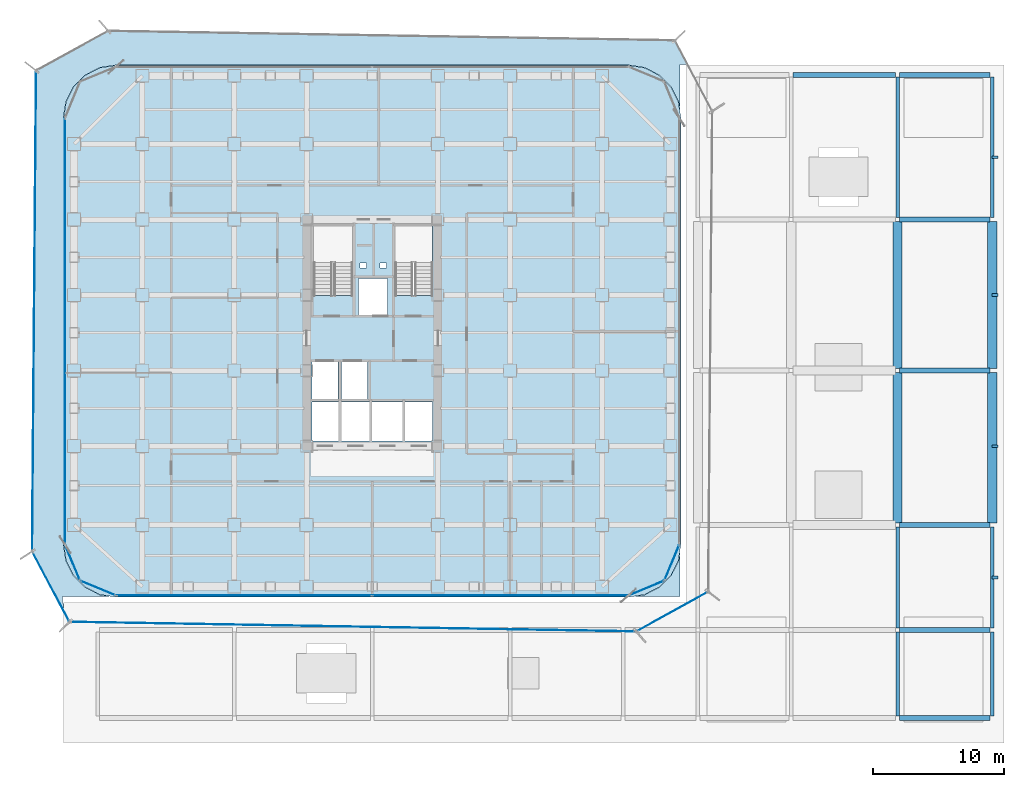
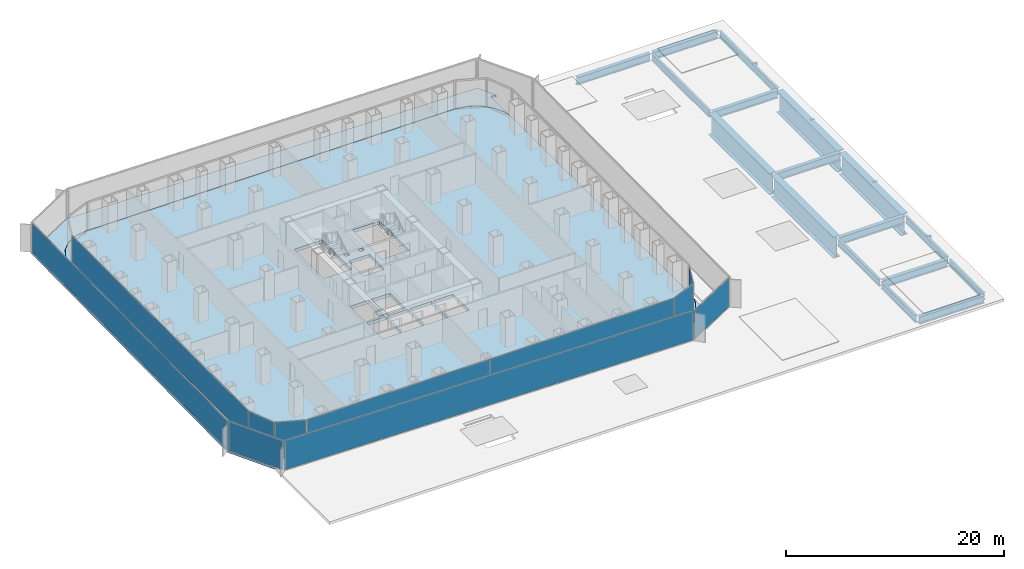
# One storey, part 21 of 27: 21 beams, 11 plates, 3 slabs, 10 elements without a shape of their own.
"""IFC4 building model written with IfcOpenShell, lengths in metres."""

from ifc_helpers import new_model, si_unit, direction, frame, origin, origin_2d, place, context, subcontext, project, spatial, polyline, rectangle, i_section, outline, extrude, source, transform, mapped, material, layer, layer_set, material_profile, profile_set, type_object, element, aggregate, save


model = new_model("IFC4")

# Units and contexts
model_context = context("Model", 3, precision=1e-05, world=origin(), true_north=direction((0.0, 1.0)))
body_context = subcontext(model_context, "Body", "Model", "MODEL_VIEW")
ifc_project = project(units=[si_unit("LENGTHUNIT", "METRE"), si_unit("AREAUNIT", "SQUARE_METRE"), si_unit("VOLUMEUNIT", "CUBIC_METRE"), si_unit("PLANEANGLEUNIT", "RADIAN"), si_unit("MASSUNIT", "GRAM", prefix="KILO")], contexts=[model_context])

# Site, building, storey
site_placement = place(None, origin())
site = spatial("IfcSite", under=ifc_project, at=site_placement, CompositionType="ELEMENT")
building_placement = place(site_placement, origin())
building = spatial("IfcBuilding", under=site, at=building_placement, Name="Kolveth Station Tower", CompositionType="ELEMENT")
storey_placement = place(building_placement, frame((0.0, 0.0, 22.5)))
storey = spatial("IfcBuildingStorey", under=building, at=storey_placement, Name="L05", CompositionType="ELEMENT", Elevation=22.5)

# Beams
ifc_material_1 = material(Name="Steel S355", Category="steel")
ifc_material_profile_1 = material_profile(ifc_material_1, i_section(OverallWidth=0.40087890625, OverallDepth=0.85107421875, WebThickness=0.01611328125, FlangeThickness=0.025390625, at=origin_2d()), Name="W840x226")
ifc_profile_set_1 = profile_set([ifc_material_profile_1], Name="Steel S355")
beam_type_1 = type_object("IfcBeamType", Name="Beam_B2", PredefinedType="BEAM", material=ifc_profile_set_1)
shared_shape_1 = source(origin(), body_context, "Body", "SweptSolid", [
    extrude(i_section(OverallWidth=0.40087890625, OverallDepth=0.85107421875, WebThickness=0.01611328125, FlangeThickness=0.025390625, at=origin_2d()), origin(), (0.0, 0.0, 1.0), 6.900146484375),
])
for number, where, z_axis, x_axis, name in (
    (1, (63.64990234375, -9.199951171875, -0.7255859375), (1.0, 0.0, 0.0), (0.0, 1.0, 0.0), "L05 Station Portal Girder SBM-L05-EW-1-3"),
    (2, (63.64990234375, -2.5, -0.7255859375), (1.0, 0.0, 0.0), (0.0, 1.0, 0.0), "L05 Station Portal Girder SBM-L05-EW-2-3"),
    (3, (63.64990234375, 5.5, -0.7255859375), (1.0, 0.0, 0.0), (0.0, 1.0, 0.0), "L05 Station Portal Girder SBM-L05-EW-3-3"),
    (4, (63.64990234375, 17.25, -0.7255859375), (1.0, 0.0, 0.0), (0.0, 1.0, 0.0), "L05 Station Portal Girder SBM-L05-EW-4-3"),
    (5, (63.64990234375, 28.75, -0.7255859375), (1.0, 0.0, 0.0), (0.0, 1.0, 0.0), "L05 Station Portal Girder SBM-L05-EW-5-3"),
    (6, (63.64990234375, 39.75, -0.7255859375), (1.0, 0.0, 0.0), (0.0, 1.0, 0.0), "L05 Station Portal Girder SBM-L05-EW-6-3"),
):
    element("IfcBeam", number, at=place(storey_placement, frame(where, z_axis=z_axis, x_axis=x_axis)), inside=storey, type_object=beam_type_1, Name=name, PredefinedType="BEAM", context=body_context, shape_type="MappedRepresentation", body=[
        mapped(shared_shape_1, transform((0.0, 0.0, 0.0), x_axis=(1.0, 0.0, 0.0), y_axis=(0.0, 1.0, 0.0), z_axis=(0.0, 0.0, 1.0), scale=1.0)),
    ])
shared_shape_2 = source(origin(), body_context, "Body", "SweptSolid", [
    extrude(i_section(OverallWidth=0.40087890625, OverallDepth=0.85107421875, WebThickness=0.01611328125, FlangeThickness=0.025390625, at=origin_2d()), origin(), (0.0, 0.0, 1.0), 7.800048828125),
])
beam_placement = place(storey_placement, frame((55.550048828125, 39.75, -0.7255859375), z_axis=(1.0, 0.0, 0.0), x_axis=(0.0, 1.0, 0.0)))
element("IfcBeam", 7, at=beam_placement, inside=storey, type_object=beam_type_1, Name="L05 Station Portal Girder SBM-L05-EW-6-2", PredefinedType="BEAM", context=body_context, shape_type="MappedRepresentation", body=[
    mapped(shared_shape_2, transform((0.0, 0.0, 0.0), x_axis=(1.0, 0.0, 0.0), y_axis=(0.0, 1.0, 0.0), z_axis=(0.0, 0.0, 1.0), scale=1.0)),
])
ifc_material_profile_2 = material_profile(ifc_material_1, i_section(OverallWidth=0.26708984375, OverallDepth=0.76611328125, WebThickness=0.014892578125, FlangeThickness=0.023681640625, at=origin_2d()), Name="W760x185")
ifc_profile_set_2 = profile_set([ifc_material_profile_2], Name="Steel S355")
beam_type_2 = type_object("IfcBeamType", Name="Beam_B3", PredefinedType="BEAM", material=ifc_profile_set_2)
shared_shape_3 = source(origin(), body_context, "Body", "SweptSolid", [
    extrude(i_section(OverallWidth=0.26708984375, OverallDepth=0.76611328125, WebThickness=0.014892578125, FlangeThickness=0.023681640625, at=origin_2d()), origin(), (0.0, 0.0, 1.0), 6.400146484375),
])
for number, where, z_axis, x_axis, name in (
    (8, (63.5, -9.050048828125, -0.68310546875), (0.0, 1.0, 0.0), (-1.0, 0.0, 0.0), "L05 Station Spine Girder SBM-L05-NS-3-1"),
    (9, (70.699951171875, -9.050048828125, -0.68310546875), (0.0, 1.0, 0.0), (-1.0, 0.0, 0.0), "L05 Station Spine Girder SBM-L05-NS-4-1"),
):
    element("IfcBeam", number, at=place(storey_placement, frame(where, z_axis=z_axis, x_axis=x_axis)), inside=storey, type_object=beam_type_2, Name=name, PredefinedType="BEAM", context=body_context, shape_type="MappedRepresentation", body=[
        mapped(shared_shape_3, transform((0.0, 0.0, 0.0), x_axis=(1.0, 0.0, 0.0), y_axis=(0.0, 1.0, 0.0), z_axis=(0.0, 0.0, 1.0), scale=1.0)),
    ])
shared_shape_4 = source(origin(), body_context, "Body", "SweptSolid", [
    extrude(i_section(OverallWidth=0.26708984375, OverallDepth=0.76611328125, WebThickness=0.014892578125, FlangeThickness=0.023681640625, at=origin_2d()), origin(), (0.0, 0.0, 1.0), 7.7001953125),
])
for number, where, z_axis, x_axis, name in (
    (10, (63.5, -2.35009765625, -0.68310546875), (0.0, 1.0, 0.0), (-1.0, 0.0, 0.0), "L05 Station Spine Girder SBM-L05-NS-3-2"),
    (11, (70.699951171875, -2.35009765625, -0.68310546875), (0.0, 1.0, 0.0), (-1.0, 0.0, 0.0), "L05 Station Spine Girder SBM-L05-NS-4-2"),
):
    element("IfcBeam", number, at=place(storey_placement, frame(where, z_axis=z_axis, x_axis=x_axis)), inside=storey, type_object=beam_type_2, Name=name, PredefinedType="BEAM", context=body_context, shape_type="MappedRepresentation", body=[
        mapped(shared_shape_4, transform((0.0, 0.0, 0.0), x_axis=(1.0, 0.0, 0.0), y_axis=(0.0, 1.0, 0.0), z_axis=(0.0, 0.0, 1.0), scale=1.0)),
    ])
shared_shape_5 = source(origin(), body_context, "Body", "SweptSolid", [
    extrude(i_section(OverallWidth=0.26708984375, OverallDepth=0.76611328125, WebThickness=0.014892578125, FlangeThickness=0.023681640625, at=origin_2d()), origin(), (0.0, 0.0, 1.0), 10.7001953125),
])
for number, where, z_axis, x_axis, name in (
    (12, (63.5, 28.89990234375, -0.68310546875), (0.0, 1.0, 0.0), (-1.0, 0.0, 0.0), "L05 Station Spine Girder SBM-L05-NS-3-5"),
    (13, (70.699951171875, 28.89990234375, -0.68310546875), (0.0, 1.0, 0.0), (-1.0, 0.0, 0.0), "L05 Station Spine Girder SBM-L05-NS-4-5"),
):
    element("IfcBeam", number, at=place(storey_placement, frame(where, z_axis=z_axis, x_axis=x_axis)), inside=storey, type_object=beam_type_2, Name=name, PredefinedType="BEAM", context=body_context, shape_type="MappedRepresentation", body=[
        mapped(shared_shape_5, transform((0.0, 0.0, 0.0), x_axis=(1.0, 0.0, 0.0), y_axis=(0.0, 1.0, 0.0), z_axis=(0.0, 0.0, 1.0), scale=1.0)),
    ])
ifc_material_profile_3 = material_profile(ifc_material_1, i_section(OverallWidth=0.2099609375, OverallDepth=0.537109375, WebThickness=0.010986328125, FlangeThickness=0.017333984375, at=origin_2d()), Name="W530x101")
ifc_profile_set_3 = profile_set([ifc_material_profile_3], Name="Steel S355")
beam_type_3 = type_object("IfcBeamType", Name="Beam_B6", PredefinedType="BEAM", material=ifc_profile_set_3)
shared_shape_6 = source(origin(), body_context, "Body", "SweptSolid", [
    extrude(i_section(OverallWidth=0.2099609375, OverallDepth=0.537109375, WebThickness=0.010986328125, FlangeThickness=0.017333984375, at=origin_2d()), origin(), (0.0, 0.0, 1.0), 0.449951171875),
])
for number, where, z_axis, x_axis, name in (
    (14, (70.699951171875, 1.5, -0.568603515625), (1.0, 0.0, 0.0), (0.0, 1.0, 0.0), "L05 Pilaster Tie Beam SBM-L05-SPL-1"),
    (15, (70.699951171875, 11.5, -0.568603515625), (1.0, 0.0, 0.0), (0.0, 1.0, 0.0), "L05 Pilaster Tie Beam SBM-L05-SPL-2"),
    (16, (70.699951171875, 23.0, -0.568603515625), (1.0, 0.0, 0.0), (0.0, 1.0, 0.0), "L05 Pilaster Tie Beam SBM-L05-SPL-3"),
    (17, (70.699951171875, 33.5, -0.568603515625), (1.0, 0.0, 0.0), (0.0, 1.0, 0.0), "L05 Pilaster Tie Beam SBM-L05-SPL-4"),
):
    element("IfcBeam", number, at=place(storey_placement, frame(where, z_axis=z_axis, x_axis=x_axis)), inside=storey, type_object=beam_type_3, Name=name, PredefinedType="BEAM", context=body_context, shape_type="MappedRepresentation", body=[
        mapped(shared_shape_6, transform((0.0, 0.0, 0.0), x_axis=(1.0, 0.0, 0.0), y_axis=(0.0, 1.0, 0.0), z_axis=(0.0, 0.0, 1.0), scale=1.0)),
    ])
ifc_material_2 = material(Name="Steel S460", Category="steel")
ifc_material_profile_4 = material_profile(ifc_material_2, i_section(OverallWidth=0.699951171875, OverallDepth=2.39990234375, WebThickness=0.0400390625, FlangeThickness=0.070068359375, at=origin_2d()), Name="PG2400x700x70")
ifc_profile_set_4 = profile_set([ifc_material_profile_4], Name="Steel S460")
beam_type_4 = type_object("IfcBeamType", Name="Beam_TG1", PredefinedType="BEAM", material=ifc_profile_set_4)
shared_shape_7 = source(origin(), body_context, "Body", "SweptSolid", [
    extrude(i_section(OverallWidth=0.699951171875, OverallDepth=2.39990234375, WebThickness=0.0400390625, FlangeThickness=0.070068359375, at=origin_2d()), origin(), (0.0, 0.0, 1.0), 11.4501953125),
])
for number, where, z_axis, x_axis, name in (
    (18, (63.5, 5.64990234375, -1.5), (0.0, 1.0, 0.0), (-1.0, 0.0, 0.0), "L05 Station Spine Girder SBM-L05-NS-3-3"),
    (19, (70.699951171875, 5.64990234375, -1.5), (0.0, 1.0, 0.0), (-1.0, 0.0, 0.0), "L05 Station Spine Girder SBM-L05-NS-4-3"),
):
    element("IfcBeam", number, at=place(storey_placement, frame(where, z_axis=z_axis, x_axis=x_axis)), inside=storey, type_object=beam_type_4, Name=name, PredefinedType="BEAM", context=body_context, shape_type="MappedRepresentation", body=[
        mapped(shared_shape_7, transform((0.0, 0.0, 0.0), x_axis=(1.0, 0.0, 0.0), y_axis=(0.0, 1.0, 0.0), z_axis=(0.0, 0.0, 1.0), scale=1.0)),
    ])
shared_shape_8 = source(origin(), body_context, "Body", "SweptSolid", [
    extrude(i_section(OverallWidth=0.699951171875, OverallDepth=2.39990234375, WebThickness=0.0400390625, FlangeThickness=0.070068359375, at=origin_2d()), origin(), (0.0, 0.0, 1.0), 11.2001953125),
])
for number, where, z_axis, x_axis, name in (
    (20, (63.5, 17.39990234375, -1.5), (0.0, 1.0, 0.0), (-1.0, 0.0, 0.0), "L05 Station Spine Girder SBM-L05-NS-3-4"),
    (21, (70.699951171875, 17.39990234375, -1.5), (0.0, 1.0, 0.0), (-1.0, 0.0, 0.0), "L05 Station Spine Girder SBM-L05-NS-4-4"),
):
    element("IfcBeam", number, at=place(storey_placement, frame(where, z_axis=z_axis, x_axis=x_axis)), inside=storey, type_object=beam_type_4, Name=name, PredefinedType="BEAM", context=body_context, shape_type="MappedRepresentation", body=[
        mapped(shared_shape_8, transform((0.0, 0.0, 0.0), x_axis=(1.0, 0.0, 0.0), y_axis=(0.0, 1.0, 0.0), z_axis=(0.0, 0.0, 1.0), scale=1.0)),
    ])

# Slabs
ifc_material_3 = material(Name="Concrete C50/60", Category="concrete")
ifc_layer_1 = layer(ifc_material_3, 0.360107421875)
ifc_layer_set_1 = layer_set([ifc_layer_1], Name="Concrete C50/60")
slab_type_1 = type_object("IfcSlabType", Name="Slab_SF-360", PredefinedType="FLOOR", material=ifc_layer_set_1)
slab_1_placement = place(storey_placement, frame((0.0, 0.0, -0.360107421875)))
element("IfcSlab", 22, at=slab_1_placement, inside=storey, type_object=slab_type_1, Name="L05 Tower Structural Floor Slab", PredefinedType="FLOOR", context=body_context, shape_type="SweptSolid", body=[
    extrude(outline(polyline([(43.0, 0.0), (44.236083984375, 0.19580078125), (45.35107421875, 0.763916015625), (46.236083984375, 1.64892578125), (46.80419921875, 2.763916015625), (47.0, 4.0), (47.0, 36.5), (46.80419921875, 37.736083984375), (46.236083984375, 38.85107421875), (45.35107421875, 39.736083984375), (44.236083984375, 40.30419921875), (43.0, 40.5), (4.0, 40.5), (2.763916015625, 40.30419921875), (1.64892578125, 39.736083984375), (0.763916015625, 38.85107421875), (0.19580078125, 37.736083984375), (0.0, 36.5), (0.0, 4.0), (0.19580078125, 2.763916015625), (0.763916015625, 1.64892578125), (1.64892578125, 0.763916015625), (2.763916015625, 0.19580078125), (4.0, 0.0), (43.0, 0.0)]), holes=[polyline([(19.0400390625, 22.985107421875), (22.0, 22.985107421875), (22.0, 28.39990234375), (19.0400390625, 28.39990234375), (19.0400390625, 22.985107421875)]), polyline([(25.239990234375, 22.985107421875), (28.10009765625, 22.985107421875), (28.10009765625, 28.39990234375), (25.239990234375, 28.39990234375), (25.239990234375, 22.985107421875)]), polyline([(18.89990234375, 15.10009765625), (20.89990234375, 15.10009765625), (20.89990234375, 17.89990234375), (18.89990234375, 17.89990234375), (18.89990234375, 15.10009765625)]), polyline([(21.14990234375, 15.10009765625), (23.14990234375, 15.10009765625), (23.14990234375, 17.89990234375), (21.14990234375, 17.89990234375), (21.14990234375, 15.10009765625)]), polyline([(22.449951171875, 21.5), (24.64990234375, 21.5), (24.64990234375, 24.25), (22.449951171875, 24.25), (22.449951171875, 21.5)]), polyline([(18.89990234375, 11.89990234375), (20.949951171875, 11.89990234375), (20.949951171875, 14.85009765625), (18.89990234375, 14.85009765625), (18.89990234375, 11.89990234375)]), polyline([(21.14990234375, 11.89990234375), (23.300048828125, 11.89990234375), (23.300048828125, 14.85009765625), (21.14990234375, 14.85009765625), (21.14990234375, 11.89990234375)]), polyline([(23.5, 11.89990234375), (25.800048828125, 11.89990234375), (25.800048828125, 14.85009765625), (23.5, 14.85009765625), (23.5, 11.89990234375)]), polyline([(26.0, 11.89990234375), (28.10009765625, 11.89990234375), (28.10009765625, 14.85009765625), (26.0, 14.85009765625), (26.0, 11.89990234375)]), polyline([(22.550048828125, 25.050048828125), (23.050048828125, 25.050048828125), (23.050048828125, 25.449951171875), (22.550048828125, 25.449951171875), (22.550048828125, 25.050048828125)]), polyline([(24.10009765625, 25.050048828125), (24.60009765625, 25.050048828125), (24.60009765625, 25.449951171875), (24.10009765625, 25.449951171875), (24.10009765625, 25.050048828125)])]), origin(), (0.0, 0.0, 1.0), 0.360107421875),
])
ifc_material_4 = material(Name="Concrete C40/50", Category="concrete")
ifc_layer_2 = layer(ifc_material_4, 0.2099609375)
ifc_layer_set_2 = layer_set([ifc_layer_2], Name="Concrete C40/50")
slab_type_2 = type_object("IfcSlabType", Name="Slab_ST-210", PredefinedType="FLOOR", material=ifc_layer_set_2)
slab_2_placement = place(storey_placement, frame((0.0, 0.0, -0.2099609375)))
element("IfcSlab", 23, at=slab_2_placement, inside=storey, type_object=slab_type_2, Name="L05 Double-Skin Cavity Structural Ledger Ring 1", PredefinedType="FLOOR", context=body_context, shape_type="SweptSolid", body=[
    extrude(outline(polyline([(-2.39013671875, 3.490478515625), (-2.0888671875, 40.085693359375), (3.404296875, 43.106689453125), (46.54345703125, 42.38720703125), (47.535888671875, 40.514892578125), (47.465087890625, 40.514892578125), (47.465087890625, 40.550048828125), (47.4638671875, 40.5556640625), (47.460693359375, 40.560546875), (47.455810546875, 40.56396484375), (47.449951171875, 40.56494140625), (46.949951171875, 40.56494140625), (46.9443359375, 40.56396484375), (46.939453125, 40.560546875), (46.93603515625, 40.5556640625), (46.93505859375, 40.550048828125), (46.93505859375, 37.006103515625), (46.819091796875, 37.73828125), (46.817626953125, 37.742919921875), (46.24951171875, 38.85791015625), (46.24658203125, 38.86181640625), (45.36181640625, 39.74658203125), (45.35791015625, 39.74951171875), (44.242919921875, 40.317626953125), (44.23828125, 40.319091796875), (43.002197265625, 40.514892578125), (43.0, 40.514892578125), (4.0, 40.514892578125), (3.997802734375, 40.514892578125), (2.76171875, 40.319091796875), (2.757080078125, 40.317626953125), (1.64208984375, 39.74951171875), (1.63818359375, 39.74658203125), (0.75341796875, 38.86181640625), (0.75048828125, 38.85791015625), (0.182373046875, 37.742919921875), (0.180908203125, 37.73828125), (-0.014892578125, 36.502197265625), (-0.014892578125, 36.5), (-0.014892578125, 4.0), (-0.014892578125, 3.997802734375), (0.180908203125, 2.76171875), (0.182373046875, 2.757080078125), (0.75048828125, 1.64208984375), (0.75341796875, 1.63818359375), (1.63818359375, 0.75341796875), (1.64208984375, 0.75048828125), (2.757080078125, 0.182373046875), (2.76171875, 0.180908203125), (3.493896484375, 0.06494140625), (-0.050048828125, 0.06494140625), (-0.0556640625, 0.06396484375), (-0.060546875, 0.060546875), (-0.06396484375, 0.0556640625), (-0.06494140625, 0.050048828125), (-0.06494140625, -0.449951171875), (-0.06396484375, -0.455810546875), (-0.060546875, -0.460693359375), (-0.0556640625, -0.4638671875), (-0.050048828125, -0.465087890625), (-0.014892578125, -0.465087890625), (-0.014892578125, -0.9853515625), (-2.39013671875, 3.490478515625)])), origin(), (0.0, 0.0, 1.0), 0.2099609375),
])
slab_3_placement = place(storey_placement, frame((0.0, 0.0, -0.2099609375)))
element("IfcSlab", 24, at=slab_3_placement, inside=storey, type_object=slab_type_2, Name="L05 Double-Skin Cavity Structural Ledger Ring 2", PredefinedType="FLOOR", context=body_context, shape_type="SweptSolid", body=[
    extrude(outline(polyline([(43.506103515625, 0.06494140625), (44.23828125, 0.180908203125), (44.242919921875, 0.182373046875), (45.35791015625, 0.75048828125), (45.36181640625, 0.75341796875), (46.24658203125, 1.63818359375), (46.24951171875, 1.64208984375), (46.817626953125, 2.757080078125), (46.819091796875, 2.76171875), (46.93505859375, 3.493896484375), (46.93505859375, 0.06494140625), (43.506103515625, 0.06494140625)])), origin(), (0.0, 0.0, 1.0), 0.2099609375),
])

# Curtain wall, plate
ifc_material_5 = material(Name="Aluminium 6063-T6 and low-E dark glass", Category="aluminium")
ifc_layer_3 = layer(ifc_material_5, 0.179931640625)
ifc_layer_set_3 = layer_set([ifc_layer_3], Name="Aluminium 6063-T6 and low-E dark glass")
curtain_wall_type_1 = type_object("IfcCurtainWallType", Name="CurtainWall_CW-Z1", PredefinedType="NOTDEFINED", material=ifc_layer_set_3)
curtain_wall_1_placement = place(storey_placement, origin())
curtain_wall_1 = element("IfcCurtainWall", 25, at=curtain_wall_1_placement, inside=storey, type_object=curtain_wall_type_1, Name="L05 Inner Thermal Curtain Wall 1", PredefinedType="NOTDEFINED")
ifc_material_6 = material(Name="Architectural low-E dark glass", Category="glass")
ifc_layer_4 = layer(ifc_material_6, 0.035888671875)
ifc_layer_set_4 = layer_set([ifc_layer_4], Name="Architectural low-E dark glass")
plate_type_1 = type_object("IfcPlateType", Name="Panel_GL1", PredefinedType="CURTAIN_PANEL", material=ifc_layer_set_4)
shared_shape_9 = source(origin(), body_context, "Body", "SweptSolid", [
    extrude(rectangle(XDim=2.83349609375, YDim=0.035888671875, at=origin_2d()), origin(), (0.0, 0.0, 1.0), 3.18408203125),
])
plate_1_placement = place(storey_placement, frame((44.371826171875, 0.688232421875, 0.06787109375), z_axis=(0.0, 0.0, 1.0), x_axis=(0.923883857728, 0.382672990201, 0.0)))
plate_1 = element("IfcPlate", 26, at=plate_1_placement, type_object=plate_type_1, Name="CW-Z1 panel 1.1", PredefinedType="CURTAIN_PANEL", context=body_context, shape_type="MappedRepresentation", body=[
    mapped(shared_shape_9, transform((0.0, 0.0, 0.0), x_axis=(1.0, 0.0, 0.0), y_axis=(0.0, 1.0, 0.0), z_axis=(0.0, 0.0, 1.0), scale=1.0)),
])
aggregate(curtain_wall_1, [plate_1])

curtain_wall_2_placement = place(storey_placement, origin())
curtain_wall_2 = element("IfcCurtainWall", 27, at=curtain_wall_2_placement, inside=storey, type_object=curtain_wall_type_1, Name="L05 Inner Thermal Curtain Wall 2", PredefinedType="NOTDEFINED")
plate_2_placement = place(storey_placement, frame((46.311767578125, 2.628173828125, 0.06787109375), z_axis=(0.0, 0.0, 1.0), x_axis=(0.382672990201, 0.923883857728, 0.0)))
plate_2 = element("IfcPlate", 28, at=plate_2_placement, type_object=plate_type_1, Name="CW-Z1 panel 1.1", PredefinedType="CURTAIN_PANEL", context=body_context, shape_type="MappedRepresentation", body=[
    mapped(shared_shape_9, transform((0.0, 0.0, 0.0), x_axis=(1.0, 0.0, 0.0), y_axis=(0.0, 1.0, 0.0), z_axis=(0.0, 0.0, 1.0), scale=1.0)),
])
aggregate(curtain_wall_2, [plate_2])

curtain_wall_3_placement = place(storey_placement, origin())
curtain_wall_3 = element("IfcCurtainWall", 29, at=curtain_wall_3_placement, inside=storey, type_object=curtain_wall_type_1, Name="L05 Inner Thermal Curtain Wall 10", PredefinedType="NOTDEFINED")
plate_3_placement = place(storey_placement, frame((0.688232421875, 2.628173828125, 0.06787109375), z_axis=(0.0, 0.0, 1.0), x_axis=(0.382672990201, -0.923883857728, 0.0)))
plate_3 = element("IfcPlate", 30, at=plate_3_placement, type_object=plate_type_1, Name="CW-Z1 panel 1.1", PredefinedType="CURTAIN_PANEL", context=body_context, shape_type="MappedRepresentation", body=[
    mapped(shared_shape_9, transform((0.0, 0.0, 0.0), x_axis=(1.0, 0.0, 0.0), y_axis=(0.0, 1.0, 0.0), z_axis=(0.0, 0.0, 1.0), scale=1.0)),
])
aggregate(curtain_wall_3, [plate_3])

curtain_wall_4_placement = place(storey_placement, origin())
curtain_wall_4 = element("IfcCurtainWall", 31, at=curtain_wall_4_placement, inside=storey, type_object=curtain_wall_type_1, Name="L05 Inner Thermal Curtain Wall 11", PredefinedType="NOTDEFINED")
plate_4_placement = place(storey_placement, frame((2.628173828125, 0.688232421875, 0.06787109375), z_axis=(0.0, 0.0, 1.0), x_axis=(0.923883857728, -0.382672990201, 0.0)))
plate_4 = element("IfcPlate", 32, at=plate_4_placement, type_object=plate_type_1, Name="CW-Z1 panel 1.1", PredefinedType="CURTAIN_PANEL", context=body_context, shape_type="MappedRepresentation", body=[
    mapped(shared_shape_9, transform((0.0, 0.0, 0.0), x_axis=(1.0, 0.0, 0.0), y_axis=(0.0, 1.0, 0.0), z_axis=(0.0, 0.0, 1.0), scale=1.0)),
])
aggregate(curtain_wall_4, [plate_4])

curtain_wall_5_placement = place(storey_placement, origin())
curtain_wall_5 = element("IfcCurtainWall", 33, at=curtain_wall_5_placement, inside=storey, type_object=curtain_wall_type_1, Name="L05 Inner Thermal Curtain Wall 9", PredefinedType="NOTDEFINED")
shared_shape_10 = source(origin(), body_context, "Body", "SweptSolid", [
    extrude(rectangle(XDim=32.364013671875, YDim=0.035888671875, at=origin_2d()), origin(), (0.0, 0.0, 1.0), 3.18408203125),
])
plate_5_placement = place(storey_placement, frame((0.1201171875, 20.25, 0.06787109375), z_axis=(0.0, 0.0, 1.0), x_axis=(0.0, -1.0, 0.0)))
plate_5 = element("IfcPlate", 34, at=plate_5_placement, type_object=plate_type_1, Name="CW-Z1 panel 1.1", PredefinedType="CURTAIN_PANEL", context=body_context, shape_type="MappedRepresentation", body=[
    mapped(shared_shape_10, transform((0.0, 0.0, 0.0), x_axis=(1.0, 0.0, 0.0), y_axis=(0.0, 1.0, 0.0), z_axis=(0.0, 0.0, 1.0), scale=1.0)),
])
aggregate(curtain_wall_5, [plate_5])

# Curtain wall, plates
curtain_wall_6_placement = place(storey_placement, origin())
curtain_wall_6 = element("IfcCurtainWall", 35, at=curtain_wall_6_placement, inside=storey, type_object=curtain_wall_type_1, Name="L05 Inner Thermal Curtain Wall 12", PredefinedType="NOTDEFINED")
shared_shape_11 = source(origin(), body_context, "Body", "SweptSolid", [
    extrude(rectangle(XDim=19.401611328125, YDim=0.035888671875, at=origin_2d()), origin(), (0.0, 0.0, 1.0), 3.18408203125),
])
plate_6_placement = place(storey_placement, frame((13.768798828125, 0.1201171875, 0.06787109375), z_axis=(0.0, 0.0, 1.0), x_axis=(1.0, 0.0, 0.0)))
plate_6 = element("IfcPlate", 36, at=plate_6_placement, type_object=plate_type_1, Name="CW-Z1 panel 1.1", PredefinedType="CURTAIN_PANEL", context=body_context, shape_type="MappedRepresentation", body=[
    mapped(shared_shape_11, transform((0.0, 0.0, 0.0), x_axis=(1.0, 0.0, 0.0), y_axis=(0.0, 1.0, 0.0), z_axis=(0.0, 0.0, 1.0), scale=1.0)),
])
plate_7_placement = place(storey_placement, frame((33.231201171875, 0.1201171875, 0.06787109375), z_axis=(0.0, 0.0, 1.0), x_axis=(1.0, 0.0, 0.0)))
plate_7 = element("IfcPlate", 37, at=plate_7_placement, type_object=plate_type_1, Name="CW-Z1 panel 2.1", PredefinedType="CURTAIN_PANEL", context=body_context, shape_type="MappedRepresentation", body=[
    mapped(shared_shape_11, transform((0.0, 0.0, 0.0), x_axis=(1.0, 0.0, 0.0), y_axis=(0.0, 1.0, 0.0), z_axis=(0.0, 0.0, 1.0), scale=1.0)),
])
aggregate(curtain_wall_6, [plate_6, plate_7])

# Curtain wall, plate
ifc_material_7 = material(Name="Black anodized aluminium 6063-T6 and dark solar glass", Category="aluminium")
ifc_layer_5 = layer(ifc_material_7, 0.159912109375)
ifc_layer_set_5 = layer_set([ifc_layer_5], Name="Black anodized aluminium 6063-T6 and dark solar glass")
curtain_wall_type_2 = type_object("IfcCurtainWallType", Name="OUTER SKIN CW-OS", PredefinedType="NOTDEFINED", material=ifc_layer_set_5)
curtain_wall_7_placement = place(storey_placement, origin())
curtain_wall_7 = element("IfcCurtainWall", 38, at=curtain_wall_7_placement, inside=storey, type_object=curtain_wall_type_2, Name="L05 Outer Ventilated Skin Curtain Wall 1", PredefinedType="NOTDEFINED")
ifc_layer_6 = layer(ifc_material_6, 0.028076171875)
ifc_layer_set_6 = layer_set([ifc_layer_6], Name="Architectural low-E dark glass")
plate_type_2 = type_object("IfcPlateType", Name="Panel_GL-OS", PredefinedType="CURTAIN_PANEL", material=ifc_layer_set_6)
shared_shape_12 = source(origin(), body_context, "Body", "SweptSolid", [
    extrude(rectangle(XDim=6.105712890625, YDim=0.028076171875, at=origin_2d()), origin(), (0.0, 0.0, 1.0), 3.243896484375),
])
plate_8_placement = place(storey_placement, frame((46.3427734375, -1.099853515625, 0.0732421875), z_axis=(0.0, 0.0, 1.0), x_axis=(0.875700678628, 0.482854348071, 0.0)))
plate_8 = element("IfcPlate", 39, at=plate_8_placement, type_object=plate_type_2, Name="CW-OS panel 1.1", PredefinedType="CURTAIN_PANEL", context=body_context, shape_type="MappedRepresentation", body=[
    mapped(shared_shape_12, transform((0.0, 0.0, 0.0), x_axis=(1.0, 0.0, 0.0), y_axis=(0.0, 1.0, 0.0), z_axis=(0.0, 0.0, 1.0), scale=1.0)),
])
aggregate(curtain_wall_7, [plate_8])

curtain_wall_8_placement = place(storey_placement, origin())
curtain_wall_8 = element("IfcCurtainWall", 40, at=curtain_wall_8_placement, inside=storey, type_object=curtain_wall_type_2, Name="L05 Outer Ventilated Skin Curtain Wall 6", PredefinedType="NOTDEFINED")
shared_shape_13 = source(origin(), body_context, "Body", "SweptSolid", [
    extrude(rectangle(XDim=36.430419921875, YDim=0.028076171875, at=origin_2d()), origin(), (0.0, 0.0, 1.0), 3.243896484375),
])
plate_9_placement = place(storey_placement, frame((-2.239501953125, 21.7880859375, 0.0732421875), z_axis=(0.0, 0.0, 1.0), x_axis=(-0.008233063669, -0.999966107757, 0.0)))
plate_9 = element("IfcPlate", 41, at=plate_9_placement, type_object=plate_type_2, Name="CW-OS panel 1.1", PredefinedType="CURTAIN_PANEL", context=body_context, shape_type="MappedRepresentation", body=[
    mapped(shared_shape_13, transform((0.0, 0.0, 0.0), x_axis=(1.0, 0.0, 0.0), y_axis=(0.0, 1.0, 0.0), z_axis=(0.0, 0.0, 1.0), scale=1.0)),
])
aggregate(curtain_wall_8, [plate_9])

curtain_wall_9_placement = place(storey_placement, origin())
curtain_wall_9 = element("IfcCurtainWall", 42, at=curtain_wall_9_placement, inside=storey, type_object=curtain_wall_type_2, Name="L05 Outer Ventilated Skin Curtain Wall 7", PredefinedType="NOTDEFINED")
shared_shape_14 = source(origin(), body_context, "Body", "SweptSolid", [
    extrude(rectangle(XDim=5.914794921875, YDim=0.028076171875, at=origin_2d()), origin(), (0.0, 0.0, 1.0), 3.243896484375),
])
plate_10_placement = place(storey_placement, frame((-0.96484375, 0.804931640625, 0.0732421875), z_axis=(0.0, 0.0, 1.0), x_axis=(0.468737543063, -0.883337486878, 0.0)))
plate_10 = element("IfcPlate", 43, at=plate_10_placement, type_object=plate_type_2, Name="CW-OS panel 1.1", PredefinedType="CURTAIN_PANEL", context=body_context, shape_type="MappedRepresentation", body=[
    mapped(shared_shape_14, transform((0.0, 0.0, 0.0), x_axis=(1.0, 0.0, 0.0), y_axis=(0.0, 1.0, 0.0), z_axis=(0.0, 0.0, 1.0), scale=1.0)),
])
aggregate(curtain_wall_9, [plate_10])

curtain_wall_10_placement = place(storey_placement, origin())
curtain_wall_10 = element("IfcCurtainWall", 44, at=curtain_wall_10_placement, inside=storey, type_object=curtain_wall_type_2, Name="L05 Outer Ventilated Skin Curtain Wall 8", PredefinedType="NOTDEFINED")
shared_shape_15 = source(origin(), body_context, "Body", "SweptSolid", [
    extrude(rectangle(XDim=42.976806640625, YDim=0.028076171875, at=origin_2d()), origin(), (0.0, 0.0, 1.0), 3.243896484375),
])
plate_11_placement = place(storey_placement, frame((22.028564453125, -2.247314453125, 0.0732421875), z_axis=(0.0, 0.0, 1.0), x_axis=(0.999855578777, -0.016994751776, 0.0)))
plate_11 = element("IfcPlate", 45, at=plate_11_placement, type_object=plate_type_2, Name="CW-OS panel 1.1", PredefinedType="CURTAIN_PANEL", context=body_context, shape_type="MappedRepresentation", body=[
    mapped(shared_shape_15, transform((0.0, 0.0, 0.0), x_axis=(1.0, 0.0, 0.0), y_axis=(0.0, 1.0, 0.0), z_axis=(0.0, 0.0, 1.0), scale=1.0)),
])
aggregate(curtain_wall_10, [plate_11])

save(model, "model.ifc")
